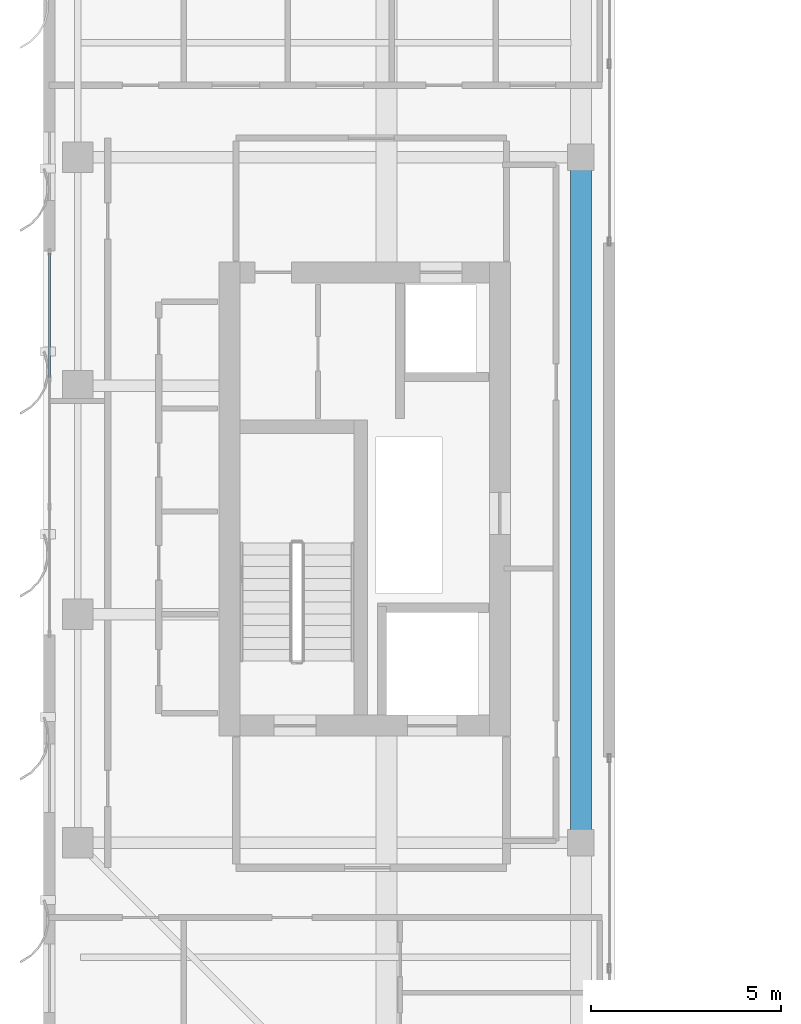
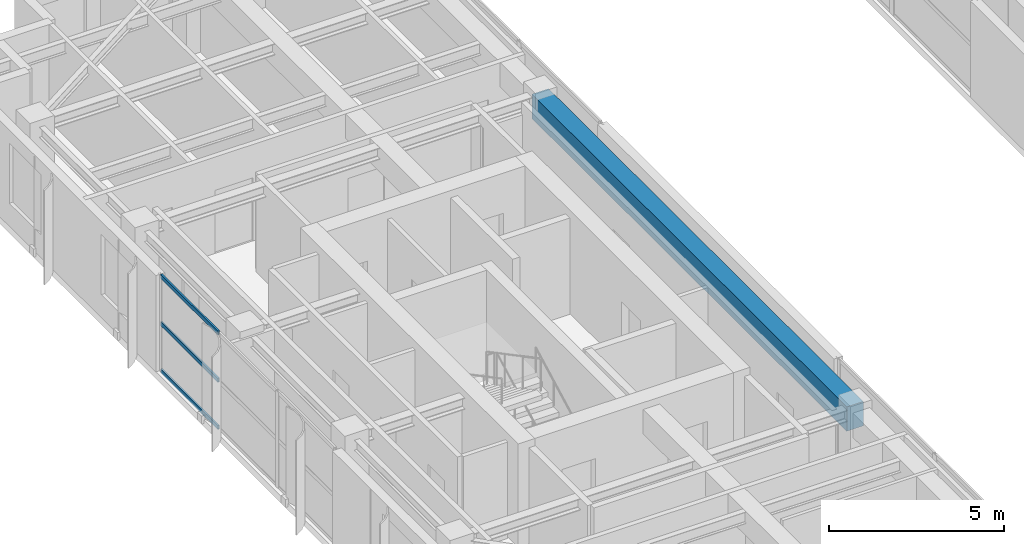
# One storey, part 7 of 22: 3 members, 1 beam, 1 element without a shape of its own.
"""IFC4 building model written with IfcOpenShell, lengths in metres."""

import ifcopenshell
import ifcopenshell.guid

model = None  # the IFC model being written
_history = None  # IfcOwnerHistory: only IFC2X3 demands one
_inside = {}  # id of a spatial element -> (the spatial element, [elements in it])
_under = {}  # id of a project, library or spatial element -> (it, [spatial elements below it])
_declared = {}  # id of a project -> (the project, [libraries it declares])
_typed = {}  # id of a type object -> (the type object, [elements of that type])
_made_of = {}  # id of a material, layer set ... -> (it, [elements and type objects made of it])


def new_model(schema):
    """Start an empty IFC model of exactly this schema.

    Asked for "IFC4X3", IfcOpenShell would pick the latest addendum, in which some entities
    have other attributes; the version numbers below select the first issue.
    IFC2X3 requires an IfcOwnerHistory on every rooted entity: one is made here for all.
    """
    global model, _history
    if schema == "IFC4X3":
        model = ifcopenshell.file(schema_version=(4, 3, 0, 0))
    else:
        model = ifcopenshell.file(schema=schema)
    _inside.clear()
    _under.clear()
    _declared.clear()
    _typed.clear()
    _made_of.clear()
    _history = None
    if model.schema == "IFC2X3":
        org = make("IfcOrganization", Name="unknown")
        user = make(
            "IfcPersonAndOrganization",
            ThePerson=make("IfcPerson", FamilyName="unknown"),
            TheOrganization=org,
        )
        app = make(
            "IfcApplication",
            ApplicationDeveloper=org,
            Version="unknown",
            ApplicationFullName="unknown",
            ApplicationIdentifier="unknown",
        )
        _history = make(
            "IfcOwnerHistory",
            OwningUser=user,
            OwningApplication=app,
            ChangeAction="ADDED",
            CreationDate=0,
        )
    return model


def make(cls, **values):
    """One entity of the class cls with the attributes given. An attribute that is None is left unset."""
    return model.create_entity(
        cls, **{name: value for name, value in values.items() if value is not None}
    )


def rooted(cls, **values):
    """An entity with a GlobalId (a new one), such as an element, a storey or a relation."""
    return make(cls, GlobalId=ifcopenshell.guid.new(), OwnerHistory=_history, **values)


def si_unit(unit_type, name, prefix=None):
    """IfcSIUnit, for example si_unit("LENGTHUNIT", "METRE", prefix="MILLI")."""
    return make("IfcSIUnit", UnitType=unit_type, Prefix=prefix, Name=name)


def assignment(units):
    """IfcUnitAssignment: the units of a project."""
    return None if units is None else make("IfcUnitAssignment", Units=units)


def point(xyz):
    """IfcCartesianPoint."""
    return None if xyz is None else make("IfcCartesianPoint", Coordinates=xyz)


def direction(xyz):
    """IfcDirection."""
    return None if xyz is None else make("IfcDirection", DirectionRatios=xyz)


def frame(location, z_axis=None, x_axis=None):
    """IfcAxis2Placement3D, a coordinate frame: its origin and axes. An axis left out is left unset."""
    return make(
        "IfcAxis2Placement3D",
        Location=point(location),
        Axis=direction(z_axis),
        RefDirection=direction(x_axis),
    )


def frame_2d(location, x_axis=None):
    """IfcAxis2Placement2D, a coordinate frame in the plane: its origin and x axis."""
    return make(
        "IfcAxis2Placement2D", Location=point(location), RefDirection=direction(x_axis)
    )


def origin():
    """The frame at (0, 0, 0) with its axes left unset."""
    return frame((0.0, 0.0, 0.0))


def origin_2d():
    """The frame at (0, 0) in the plane with its x axis left unset."""
    return frame_2d((0.0, 0.0))


def place(relative_to, where):
    """IfcLocalPlacement: puts the frame where relative to a parent placement (None: the world)."""
    return make(
        "IfcLocalPlacement", PlacementRelTo=relative_to, RelativePlacement=where
    )


def context(
    kind, dimensions, precision=None, world=None, true_north=None, identifier=None
):
    """IfcGeometricRepresentationContext, for example the 3D "Model" context."""
    return make(
        "IfcGeometricRepresentationContext",
        ContextIdentifier=identifier,
        ContextType=kind,
        CoordinateSpaceDimension=dimensions,
        Precision=precision,
        WorldCoordinateSystem=world,
        TrueNorth=true_north,
    )


def subcontext(parent, identifier, kind, view, scale=None):
    """IfcGeometricRepresentationSubContext, for example "Body" below "Model"."""
    return make(
        "IfcGeometricRepresentationSubContext",
        ContextIdentifier=identifier,
        ContextType=kind,
        ParentContext=parent,
        TargetScale=scale,
        TargetView=view,
    )


def project(units=None, contexts=None):
    """IfcProject with its units and contexts."""
    return rooted(
        "IfcProject",
        Name="project",
        RepresentationContexts=contexts,
        UnitsInContext=assignment(units),
    )


def spatial(cls, under=None, at=None, **own):
    """A site, building, storey or space (cls), placed at a placement, below another one or the project."""
    s = rooted(cls, ObjectPlacement=at, **own)
    if under is not None:
        _under.setdefault(under.id(), (under, []))[1].append(s)
    return s


def profile(cls, at=None, kind="AREA", **sizes):
    """A parametric profile (cls). Its sizes go by their IFC names, for example OverallWidth=200.0."""
    return make(cls, ProfileType=kind, Position=at, **sizes)


def rectangle(**sizes):
    """IfcRectangleProfileDef."""
    return profile("IfcRectangleProfileDef", **sizes)


def hollow_rectangle(**sizes):
    """IfcRectangleHollowProfileDef."""
    return profile("IfcRectangleHollowProfileDef", **sizes)


def extrude(swept, where, along, depth):
    """IfcExtrudedAreaSolid: the profile swept, set in the frame where, extruded along a direction by depth."""
    return make(
        "IfcExtrudedAreaSolid",
        SweptArea=swept,
        Position=where,
        ExtrudedDirection=direction(along),
        Depth=depth,
    )


def shape(context_of_items, identifier, shape_type, items):
    """IfcShapeRepresentation: the items that make up one representation, for example the "Body"."""
    return make(
        "IfcShapeRepresentation",
        ContextOfItems=context_of_items,
        RepresentationIdentifier=identifier,
        RepresentationType=shape_type,
        Items=items,
    )


def source(mapping_origin, context_of_items, identifier, shape_type, items):
    """IfcRepresentationMap: a shape defined once, which mapped items show again and again."""
    return make(
        "IfcRepresentationMap",
        MappingOrigin=mapping_origin,
        MappedRepresentation=shape(context_of_items, identifier, shape_type, items),
    )


def transform(
    local_origin,
    x_axis=None,
    y_axis=None,
    z_axis=None,
    scale=None,
    scale2=None,
    scale3=None,
    uniform=True,
):
    """IfcCartesianTransformationOperator3D, or its non-uniform kind. x_axis, y_axis, z_axis: its Axis1, 2, 3."""
    if uniform:
        return make(
            "IfcCartesianTransformationOperator3D",
            Axis1=direction(x_axis),
            Axis2=direction(y_axis),
            LocalOrigin=point(local_origin),
            Scale=scale,
            Axis3=direction(z_axis),
        )
    return make(
        "IfcCartesianTransformationOperator3DnonUniform",
        Axis1=direction(x_axis),
        Axis2=direction(y_axis),
        LocalOrigin=point(local_origin),
        Scale=scale,
        Axis3=direction(z_axis),
        Scale2=scale2,
        Scale3=scale3,
    )


def mapped(mapping_source, mapping_target):
    """IfcMappedItem: shows the shape of a source again, moved by a transform."""
    return make(
        "IfcMappedItem", MappingSource=mapping_source, MappingTarget=mapping_target
    )


def material(Name=None, Category=None):
    """IfcMaterial."""
    return make("IfcMaterial", Name=Name, Category=Category)


def layer(
    of_material, thickness, ventilated=None, Name=None, Category=None, Priority=None
):
    """IfcMaterialLayer: one layer of a wall or slab, of a material (None: an air gap)."""
    return make(
        "IfcMaterialLayer",
        Material=of_material,
        LayerThickness=thickness,
        IsVentilated=ventilated,
        Name=Name,
        Category=Category,
        Priority=Priority,
    )


def layer_set(layers, Name=None):
    """IfcMaterialLayerSet."""
    return make("IfcMaterialLayerSet", MaterialLayers=layers, LayerSetName=Name)


def material_profile(
    of_material, cross_section, Name=None, Category=None, Priority=None
):
    """IfcMaterialProfile: a cross section and its material."""
    return make(
        "IfcMaterialProfile",
        Name=Name,
        Material=of_material,
        Profile=cross_section,
        Priority=Priority,
        Category=Category,
    )


def profile_set(profiles, Name=None, composite=None):
    """IfcMaterialProfileSet."""
    return make(
        "IfcMaterialProfileSet",
        Name=Name,
        MaterialProfiles=profiles,
        CompositeProfile=composite,
    )


def made_of(thing, what):
    """Note that an element or type object is made of a material, layer set ...; save() writes the relation."""
    if what is not None:
        _made_of.setdefault(what.id(), (what, []))[1].append(thing)
    return thing


def type_object(cls, material=None, **own):
    """A type object (cls), such as IfcWallType, which elements share."""
    return made_of(rooted(cls, **own), material)


def element(
    cls,
    number,
    at=None,
    inside=None,
    cuts=None,
    type_object=None,
    material=None,
    context=None,
    identifier="Body",
    shape_type=None,
    held_by="IfcProductDefinitionShape",
    body=None,
    shapes=None,
    **own,
):
    """One element of the class cls, such as IfcWall. Its Tag is "e" and its number.

    at: its placement. inside: the storey or other place that contains it. cuts: it is an
    opening in that element (IfcRelVoidsElement). A single representation is given by context,
    identifier, shape_type and body (its items); several are given by shapes. held_by: the class
    of the entity that holds the representations. save() writes the other relations.
    """
    e = rooted(cls, Tag="e%d" % number, ObjectPlacement=at, **own)
    if body is not None:
        shapes = [shape(context, identifier, shape_type, body)]
    if shapes is not None:
        e.Representation = make(held_by, Representations=shapes)
    if inside is not None:
        _inside.setdefault(inside.id(), (inside, []))[1].append(e)
    if cuts is not None:
        rooted(
            "IfcRelVoidsElement", RelatingBuildingElement=cuts, RelatedOpeningElement=e
        )
    if type_object is not None:
        _typed.setdefault(type_object.id(), (type_object, []))[1].append(e)
    return made_of(e, material)


def aggregate(whole, parts):
    """IfcRelAggregates: a whole, such as a stair, and the parts it consists of."""
    return rooted("IfcRelAggregates", RelatingObject=whole, RelatedObjects=parts)


def save(model, path):
    """Write the relations noted so far, then the file.

    IfcRelAggregates (storeys below a building ...), IfcRelContainedInSpatialStructure (elements
    in a storey), IfcRelDefinesByType, IfcRelAssociatesMaterial and IfcRelDeclares: one each for
    every whole, place, type object, material and project.
    """
    for whole, parts in _under.values():
        aggregate(whole, parts)
    for where, things in _inside.values():
        rooted(
            "IfcRelContainedInSpatialStructure",
            RelatedElements=things,
            RelatingStructure=where,
        )
    for kind, things in _typed.values():
        rooted("IfcRelDefinesByType", RelatedObjects=things, RelatingType=kind)
    for what, things in _made_of.values():
        rooted("IfcRelAssociatesMaterial", RelatedObjects=things, RelatingMaterial=what)
    for by, libraries in _declared.values():
        rooted("IfcRelDeclares", RelatingContext=by, RelatedDefinitions=libraries)
    model.write(path)


model = new_model("IFC4")

# Units and contexts
model_context = context("Model", 3, precision=1e-05, world=origin(), true_north=direction((0.0, 1.0)))
body_context = subcontext(model_context, "Body", "Model", "MODEL_VIEW")
ifc_project = project(units=[si_unit("LENGTHUNIT", "METRE"), si_unit("AREAUNIT", "SQUARE_METRE"), si_unit("VOLUMEUNIT", "CUBIC_METRE"), si_unit("PLANEANGLEUNIT", "RADIAN"), si_unit("MASSUNIT", "GRAM", prefix="KILO")], contexts=[model_context])

# Site, building, storey
site_placement = place(None, origin())
site = spatial("IfcSite", under=ifc_project, at=site_placement, CompositionType="ELEMENT")
building_placement = place(site_placement, origin())
building = spatial("IfcBuilding", under=site, at=building_placement, Name="Khoralis Quay Care Tower", CompositionType="ELEMENT")
storey_placement = place(building_placement, frame((0.0, 0.0, 256.5)))
storey = spatial("IfcBuildingStorey", under=building, at=storey_placement, Name="L67", CompositionType="ELEMENT", Elevation=256.5)

# Beam
ifc_material_1 = material(Name="Concrete C50/60", Category="concrete")
ifc_material_profile_1 = material_profile(ifc_material_1, rectangle(XDim=0.550048828125, YDim=0.85009765625, at=origin_2d()), Name="Concrete C50/60")
ifc_profile_set_1 = profile_set([ifc_material_profile_1], Name="Concrete C50/60")
beam_type = type_object("IfcBeamType", Name="BM-RC550X850", PredefinedType="BEAM", material=ifc_profile_set_1)
shared_shape_1 = source(origin(), body_context, "Body", "SweptSolid", [
    extrude(rectangle(XDim=0.550048828125, YDim=0.85009765625, at=origin_2d()), origin(), (0.0, 0.0, 1.0), 18.0),
])
beam_placement = place(storey_placement, frame((17.10009765625, 12.0, 2.93505859375), z_axis=(0.0, 1.0, 0.0), x_axis=(-1.0, 0.0, 0.0)))
element("IfcBeam", 1, at=beam_placement, inside=storey, type_object=beam_type, Name="BM-TGSW-L67", PredefinedType="BEAM", context=body_context, shape_type="MappedRepresentation", body=[
    mapped(shared_shape_1, transform((0.0, 0.0, 0.0), scale=1.0)),
])

# Curtain wall, members
ifc_material_2 = material(Name="Pale anodised aluminium", Category="aluminium")
ifc_layer = layer(ifc_material_2, 0.159912109375)
ifc_layer_set = layer_set([ifc_layer], Name="Pale anodised aluminium")
curtain_wall_type = type_object("IfcCurtainWallType", Name="CW-SYS-Z3", PredefinedType="NOTDEFINED", material=ifc_layer_set)
curtain_wall_placement = place(storey_placement, origin())
curtain_wall = element("IfcCurtainWall", 2, at=curtain_wall_placement, inside=storey, type_object=curtain_wall_type, Name="L67 Unitised Curtain Wall CW-L67-P1-E7", PredefinedType="NOTDEFINED")
ifc_material_profile_2 = material_profile(ifc_material_2, hollow_rectangle(XDim=0.06005859375, YDim=0.139892578125, WallThickness=0.00390625, at=origin_2d()), Name="Pale anodised aluminium")
ifc_profile_set_2 = profile_set([ifc_material_profile_2], Name="Pale anodised aluminium")
member_type = type_object("IfcMemberType", Name="CW-TRN-140", PredefinedType="USERDEFINED", material=ifc_profile_set_2)
shared_shape_2 = source(origin(), body_context, "Body", "SweptSolid", [
    extrude(hollow_rectangle(XDim=0.06005859375, YDim=0.139892578125, WallThickness=0.00390625, at=origin_2d()), origin(), (0.0, 0.0, 1.0), 3.27001953125),
])
member_1_placement = place(storey_placement, frame((3.14990234375, 27.47998046875, 0.030029296875), z_axis=(0.0, -1.0, 0.0), x_axis=(1.0, 0.0, 0.0)))
member_1 = element("IfcMember", 3, at=member_1_placement, type_object=member_type, Name="CW3 transom 1.1", ObjectType="TRANSOM", PredefinedType="USERDEFINED", context=body_context, shape_type="MappedRepresentation", body=[
    mapped(shared_shape_2, transform((0.0, 0.0, 0.0), scale=1.0)),
])
member_2_placement = place(storey_placement, frame((3.14990234375, 27.47998046875, 1.679931640625), z_axis=(0.0, -1.0, 0.0), x_axis=(1.0, 0.0, 0.0)))
member_2 = element("IfcMember", 4, at=member_2_placement, type_object=member_type, Name="CW3 transom 1.2", ObjectType="TRANSOM", PredefinedType="USERDEFINED", context=body_context, shape_type="MappedRepresentation", body=[
    mapped(shared_shape_2, transform((0.0, 0.0, 0.0), scale=1.0)),
])
member_3_placement = place(storey_placement, frame((3.14990234375, 27.47998046875, 3.330078125), z_axis=(0.0, -1.0, 0.0), x_axis=(1.0, 0.0, 0.0)))
member_3 = element("IfcMember", 5, at=member_3_placement, type_object=member_type, Name="CW3 transom 1.3", ObjectType="TRANSOM", PredefinedType="USERDEFINED", context=body_context, shape_type="MappedRepresentation", body=[
    mapped(shared_shape_2, transform((0.0, 0.0, 0.0), scale=1.0)),
])
aggregate(curtain_wall, [member_1, member_2, member_3])

save(model, "model.ifc")
